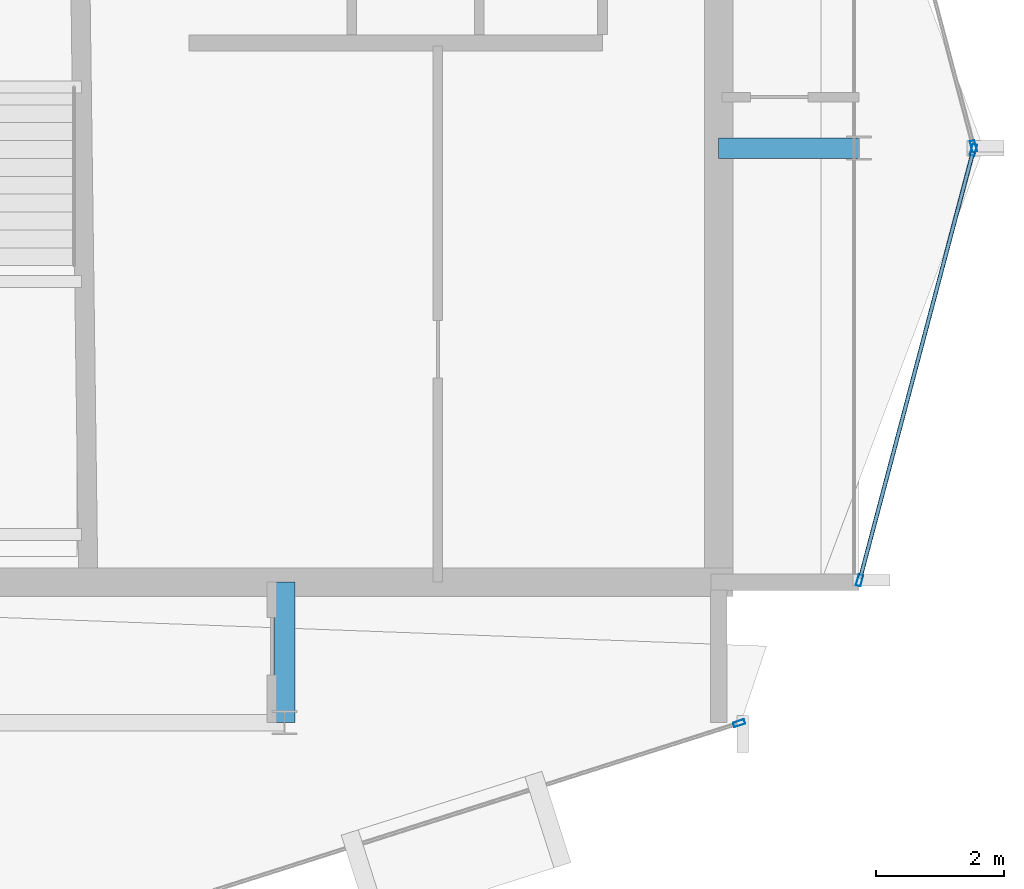
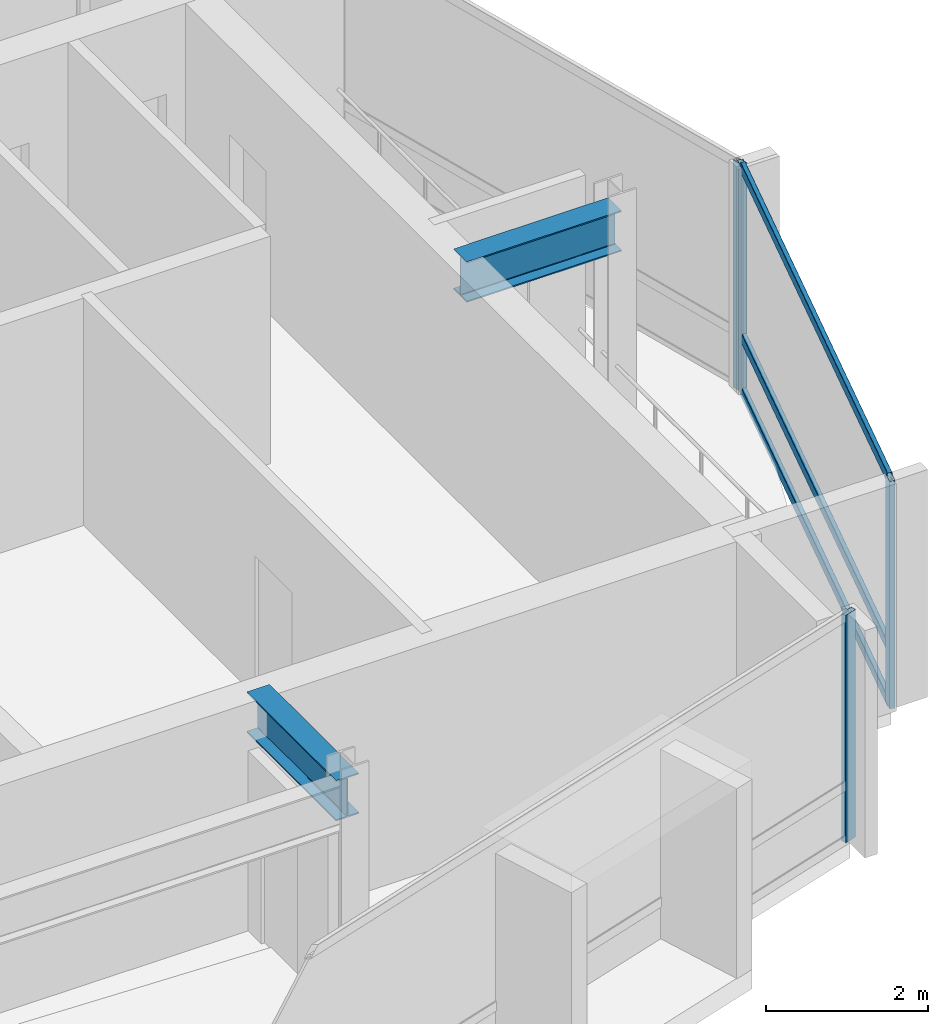
# One storey, part 9 of 19: 7 members, 2 beams, 3 elements without a shape of their own.
"""IFC4 building model written with IfcOpenShell, lengths in metres."""

from ifc_helpers import new_model, si_unit, direction, frame, origin, origin_2d, place, context, subcontext, project, spatial, hollow_rectangle, i_section, extrude, material, layer, layer_set, material_profile, profile_set, type_object, element, aggregate, save


model = new_model("IFC4")

# Units and contexts
model_context = context("Model", 3, precision=1e-05, world=origin(), true_north=direction((0.0, 1.0)))
body_context = subcontext(model_context, "Body", "Model", "MODEL_VIEW")
ifc_project = project(units=[si_unit("LENGTHUNIT", "METRE"), si_unit("AREAUNIT", "SQUARE_METRE"), si_unit("VOLUMEUNIT", "CUBIC_METRE"), si_unit("PLANEANGLEUNIT", "RADIAN"), si_unit("MASSUNIT", "GRAM", prefix="KILO")], contexts=[model_context])

# Site, building, storey
site_placement = place(None, origin())
site = spatial("IfcSite", under=ifc_project, at=site_placement, CompositionType="ELEMENT")
building_placement = place(site_placement, origin())
building = spatial("IfcBuilding", under=site, at=building_placement, Name="Solvaryn Broadcast Tower", CompositionType="ELEMENT")
storey_placement = place(building_placement, frame((0.0, 0.0, 266.699951171875)))
storey = spatial("IfcBuildingStorey", under=building, at=storey_placement, Name="L67", CompositionType="ELEMENT", Elevation=266.699951171875)

# Beams
ifc_material_1 = material(Name="Steel ASTM A992 Grade 50", Category="steel")
ifc_material_profile_1 = material_profile(ifc_material_1, i_section(OverallWidth=0.323974609375, OverallDepth=0.611083984375, WebThickness=0.0126953125, FlangeThickness=0.01904296875, FilletRadius=0.014892578125, at=origin_2d()))
ifc_profile_set_1 = profile_set([ifc_material_profile_1], Name="Steel ASTM A992 Grade 50")
beam_type = type_object("IfcBeamType", Name="BM-B1-W24X104", PredefinedType="BEAM", material=ifc_profile_set_1)
for number, where, z_axis, x_axis, name in (
    (1, (36.0, 9.0, 3.114501953125), (0.0, 1.0, 0.0), (-1.0, 0.0, 0.0), "L67 Core Tie Beam CTE1"),
    (2, (42.800048828125, 18.0, 3.114501953125), (1.0, 0.0, 0.0), (0.0, 1.0, 0.0), "L67 Core Tie Beam CTE3"),
):
    element("IfcBeam", number, at=place(storey_placement, frame(where, z_axis=z_axis, x_axis=x_axis)), inside=storey, type_object=beam_type, Name=name, PredefinedType="BEAM", context=body_context, shape_type="SweptSolid", body=[
        extrude(i_section(OverallWidth=0.323974609375, OverallDepth=0.611083984375, WebThickness=0.0126953125, FlangeThickness=0.01904296875, FilletRadius=0.014892578125, at=origin_2d()), origin(), (0.0, 0.0, 1.0), 2.199951171875),
    ])

# Curtain wall, member
ifc_material_2 = material(Name="Aluminium and Terracotta Unitised Curtain Wall", Category="masonry")
ifc_layer = layer(ifc_material_2, 0.199951171875)
ifc_layer_set = layer_set([ifc_layer], Name="CW-SYS2-LOWMID")
curtain_wall_type = type_object("IfcCurtainWallType", Name="CW-SYS2-LOWMID", PredefinedType="NOTDEFINED", material=ifc_layer_set)
curtain_wall_1_placement = place(storey_placement, origin())
curtain_wall_1 = element("IfcCurtainWall", 3, at=curtain_wall_1_placement, inside=storey, type_object=curtain_wall_type, Name="L67 Curtain Wall DR4", PredefinedType="NOTDEFINED")
ifc_material_3 = material(Name="Anodised Aluminium 6063-T6", Category="aluminium")
ifc_material_profile_2 = material_profile(ifc_material_3, hollow_rectangle(XDim=0.074951171875, YDim=0.179931640625, WallThickness=0.00390625, InnerFilletRadius=0.00390625, OuterFilletRadius=0.008056640625, at=origin_2d()))
ifc_profile_set_2 = profile_set([ifc_material_profile_2], Name="Anodised Aluminium 6063-T6")
member_type_1 = type_object("IfcMemberType", Name="CW-MUL-180", PredefinedType="MULLION", material=ifc_profile_set_2)
member_1_placement = place(storey_placement, frame((43.120361328125, 8.990966796875, 0.0), z_axis=(0.0, 0.0, 1.0), x_axis=(-0.30361564569, 0.952794594701, 0.0)))
member_1 = element("IfcMember", 4, at=member_1_placement, type_object=member_type_1, Name="CWS2 mullion 2", PredefinedType="MULLION", context=body_context, shape_type="SweptSolid", body=[
    extrude(hollow_rectangle(XDim=0.074951171875, YDim=0.179931640625, WallThickness=0.00390625, InnerFilletRadius=0.00390625, OuterFilletRadius=0.008056640625, at=origin_2d()), origin(), (0.0, 0.0, 1.0), 3.420166015625),
])
aggregate(curtain_wall_1, [member_1])

curtain_wall_2_placement = place(storey_placement, origin())
curtain_wall_2 = element("IfcCurtainWall", 5, at=curtain_wall_2_placement, inside=storey, type_object=curtain_wall_type, Name="L67 Curtain Wall ET1", PredefinedType="NOTDEFINED")
member_2_placement = place(storey_placement, frame((46.792236328125, 18.029052734375, 0.0), z_axis=(0.0, 0.0, 1.0), x_axis=(0.966705227863, 0.25589256031, 0.0)))
member_2 = element("IfcMember", 6, at=member_2_placement, type_object=member_type_1, Name="CWS2 mullion 2", PredefinedType="MULLION", context=body_context, shape_type="SweptSolid", body=[
    extrude(hollow_rectangle(XDim=0.074951171875, YDim=0.179931640625, WallThickness=0.00390625, InnerFilletRadius=0.00390625, OuterFilletRadius=0.008056640625, at=origin_2d()), origin(), (0.0, 0.0, 1.0), 3.420166015625),
])
aggregate(curtain_wall_2, [member_2])

# Curtain wall, members
curtain_wall_3_placement = place(storey_placement, origin())
curtain_wall_3 = element("IfcCurtainWall", 7, at=curtain_wall_3_placement, inside=storey, type_object=curtain_wall_type, Name="L67 Curtain Wall ET2", PredefinedType="NOTDEFINED")
member_3_placement = place(storey_placement, frame((46.792236328125, 17.970947265625, 0.0), z_axis=(0.0, 0.0, 1.0), x_axis=(0.966705227863, -0.25589256031, 0.0)))
member_3 = element("IfcMember", 8, at=member_3_placement, type_object=member_type_1, Name="CWS2 mullion 1", PredefinedType="MULLION", context=body_context, shape_type="SweptSolid", body=[
    extrude(hollow_rectangle(XDim=0.074951171875, YDim=0.179931640625, WallThickness=0.00390625, InnerFilletRadius=0.00390625, OuterFilletRadius=0.008056640625, at=origin_2d()), origin(), (0.0, 0.0, 1.0), 3.420166015625),
])
member_4_placement = place(storey_placement, frame((45.007568359375, 11.22900390625, 0.0), z_axis=(0.0, 0.0, 1.0), x_axis=(0.966705227863, -0.25589256031, 0.0)))
member_4 = element("IfcMember", 9, at=member_4_placement, type_object=member_type_1, Name="CWS2 mullion 2", PredefinedType="MULLION", context=body_context, shape_type="SweptSolid", body=[
    extrude(hollow_rectangle(XDim=0.074951171875, YDim=0.179931640625, WallThickness=0.00390625, InnerFilletRadius=0.00390625, OuterFilletRadius=0.008056640625, at=origin_2d()), origin(), (0.0, 0.0, 1.0), 3.420166015625),
])
ifc_material_4 = material(Name="Anodised Aluminium 6063-T6", Category="aluminium")
ifc_material_profile_3 = material_profile(ifc_material_4, hollow_rectangle(XDim=0.06494140625, YDim=0.14990234375, WallThickness=0.00390625, InnerFilletRadius=0.00390625, OuterFilletRadius=0.008056640625, at=origin_2d()))
ifc_profile_set_3 = profile_set([ifc_material_profile_3], Name="Anodised Aluminium 6063-T6")
member_type_2 = type_object("IfcMemberType", Name="CW-TRN-150", PredefinedType="USERDEFINED", material=ifc_profile_set_3)
member_5_placement = place(storey_placement, frame((46.78466796875, 17.94189453125, 0.030029296875), z_axis=(-0.255897413051, -0.966703943301, 0.0), x_axis=(0.966703943301, -0.255897413051, 0.0)))
member_5 = element("IfcMember", 10, at=member_5_placement, type_object=member_type_2, Name="CWS2 transom 1.1", ObjectType="TRANSOM", PredefinedType="USERDEFINED", context=body_context, shape_type="SweptSolid", body=[
    extrude(hollow_rectangle(XDim=0.06494140625, YDim=0.14990234375, WallThickness=0.00390625, InnerFilletRadius=0.00390625, OuterFilletRadius=0.008056640625, at=origin_2d()), origin(), (0.0, 0.0, 1.0), 6.9140625),
])
member_6_placement = place(storey_placement, frame((46.78466796875, 17.94189453125, 0.85009765625), z_axis=(-0.255897413051, -0.966703943301, 0.0), x_axis=(0.966703943301, -0.255897413051, 0.0)))
member_6 = element("IfcMember", 11, at=member_6_placement, type_object=member_type_2, Name="CWS2 transom 1.2", ObjectType="TRANSOM", PredefinedType="USERDEFINED", context=body_context, shape_type="SweptSolid", body=[
    extrude(hollow_rectangle(XDim=0.06494140625, YDim=0.14990234375, WallThickness=0.00390625, InnerFilletRadius=0.00390625, OuterFilletRadius=0.008056640625, at=origin_2d()), origin(), (0.0, 0.0, 1.0), 6.9140625),
])
member_7_placement = place(storey_placement, frame((46.78466796875, 17.94189453125, 3.39013671875), z_axis=(-0.255897413051, -0.966703943301, 0.0), x_axis=(0.966703943301, -0.255897413051, 0.0)))
member_7 = element("IfcMember", 12, at=member_7_placement, type_object=member_type_2, Name="CWS2 transom 1.3", ObjectType="TRANSOM", PredefinedType="USERDEFINED", context=body_context, shape_type="SweptSolid", body=[
    extrude(hollow_rectangle(XDim=0.06494140625, YDim=0.14990234375, WallThickness=0.00390625, InnerFilletRadius=0.00390625, OuterFilletRadius=0.008056640625, at=origin_2d()), origin(), (0.0, 0.0, 1.0), 6.9140625),
])
aggregate(curtain_wall_3, [member_3, member_4, member_5, member_6, member_7])

save(model, "model.ifc")
